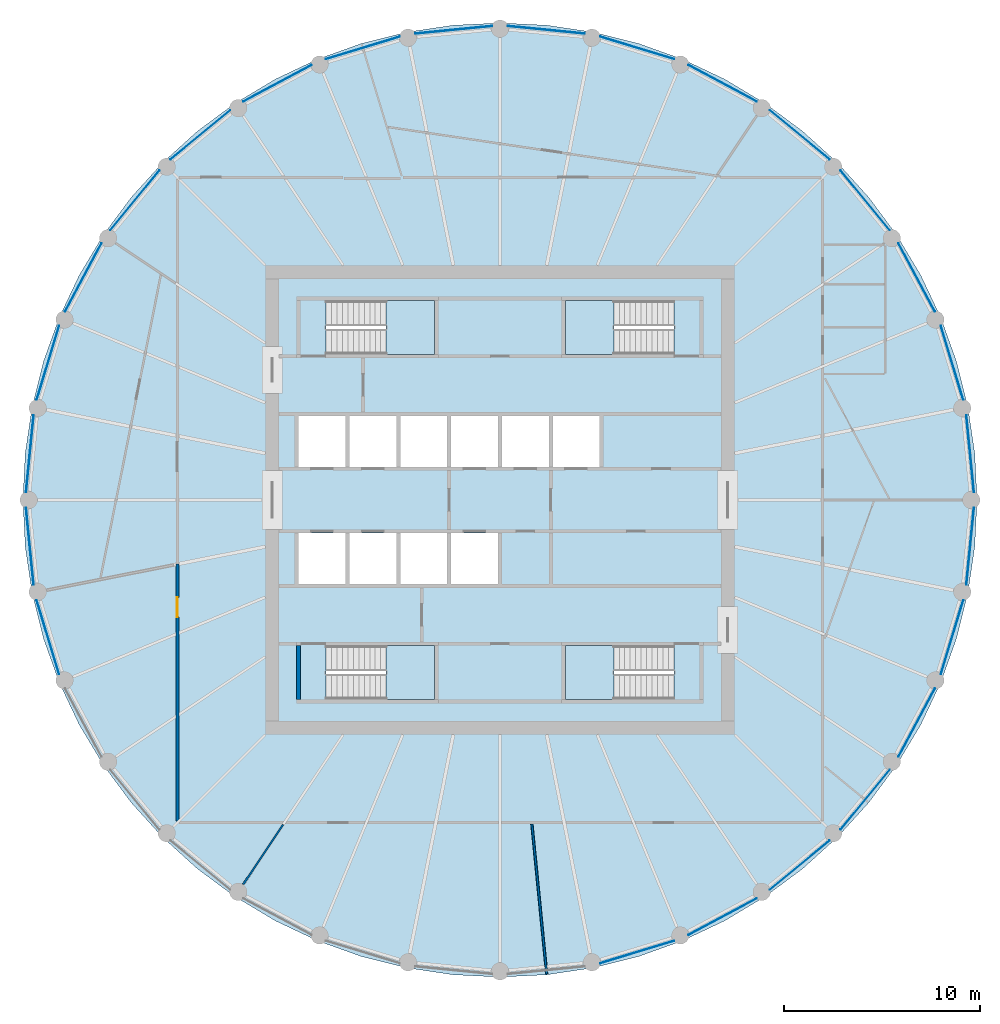
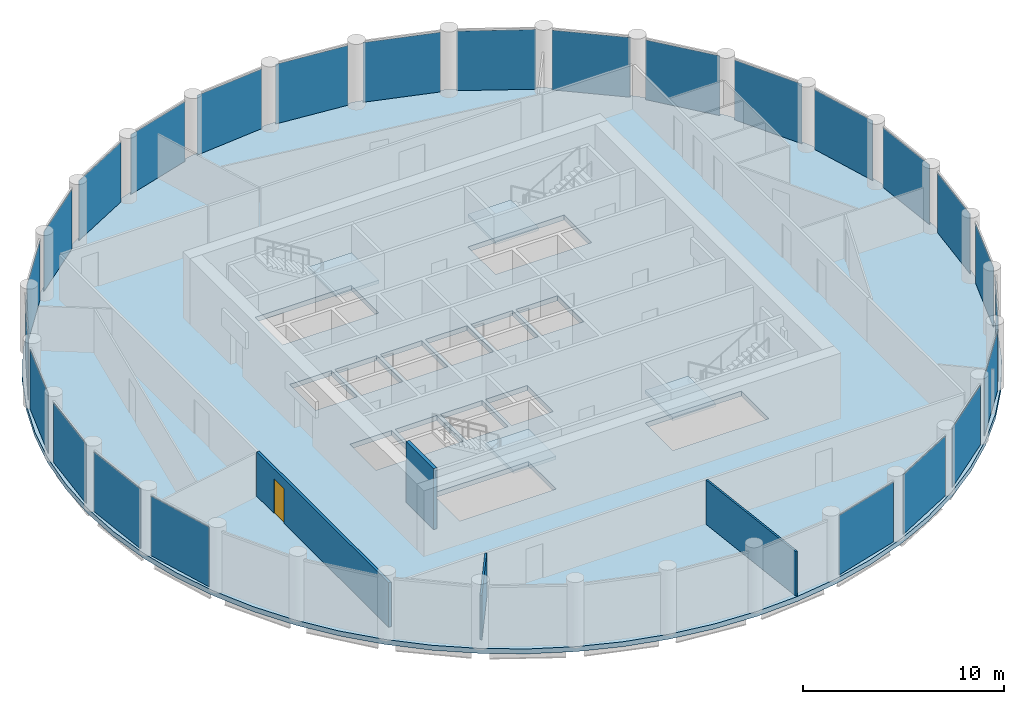
# One storey, part 3 of 7: 25 plates, 5 slabs, 4 walls, 1 door, 1 opening, 29 elements without a shape of their own.
"""IFC4 building model written with IfcOpenShell, lengths in metres."""

from ifc_helpers import new_model, si_unit, direction, frame, frame_2d, origin, origin_2d, place, context, subcontext, project, spatial, polyline, rectangle, outline, extrude, material, layer, layer_set, type_object, element, fill, aggregate, save


model = new_model("IFC4")

# Units and contexts
model_context = context("Model", 3, precision=1e-05, world=origin(), true_north=direction((0.0, 1.0)))
body_context = subcontext(model_context, "Body", "Model", "MODEL_VIEW")
ifc_project = project(units=[si_unit("LENGTHUNIT", "METRE"), si_unit("AREAUNIT", "SQUARE_METRE"), si_unit("VOLUMEUNIT", "CUBIC_METRE"), si_unit("PLANEANGLEUNIT", "RADIAN"), si_unit("MASSUNIT", "GRAM", prefix="KILO")], contexts=[model_context])

# Site, building, storey
site_placement = place(None, origin())
site = spatial("IfcSite", under=ifc_project, at=site_placement, CompositionType="ELEMENT")
building_placement = place(site_placement, origin())
building = spatial("IfcBuilding", under=site, at=building_placement, Name="Corvane Civic Tower", CompositionType="ELEMENT")
storey_placement = place(building_placement, frame((0.0, 0.0, 287.0)))
storey = spatial("IfcBuildingStorey", under=building, at=storey_placement, Name="L68", CompositionType="ELEMENT", Elevation=287.0)

# Slab
ifc_material_1 = material(Name="Concrete C40/50", Category="concrete")
ifc_layer_1 = layer(ifc_material_1, 0.300048828125)
ifc_layer_set_1 = layer_set([ifc_layer_1], Name="Concrete C40/50")
slab_type_1 = type_object("IfcSlabType", Name="FLOOR SLAB 300", PredefinedType="FLOOR", material=ifc_layer_set_1)
slab_1_placement = place(storey_placement, frame((0.0, 0.0, -0.300048828125)))
element("IfcSlab", 1, at=slab_1_placement, inside=storey, type_object=slab_type_1, Name="SLB-L68", PredefinedType="FLOOR", context=body_context, shape_type="SweptSolid", body=[
    extrude(outline(polyline([(0.0, 24.39990234375), (-2.3916015625, 24.282470703125), (-4.76025390625, 23.93115234375), (-7.0830078125, 23.349365234375), (-9.33740234375, 22.542724609375), (-11.502197265625, 21.518798828125), (-13.555908203125, 20.287841796875), (-15.479248046875, 18.861572265625), (-17.25341796875, 17.25341796875), (-18.861572265625, 15.479248046875), (-20.287841796875, 13.555908203125), (-21.518798828125, 11.502197265625), (-22.542724609375, 9.33740234375), (-23.349365234375, 7.0830078125), (-23.93115234375, 4.76025390625), (-24.282470703125, 2.3916015625), (-24.39990234375, 0.0), (-24.282470703125, -2.3916015625), (-23.93115234375, -4.76025390625), (-23.349365234375, -7.0830078125), (-22.542724609375, -9.33740234375), (-21.518798828125, -11.502197265625), (-20.287841796875, -13.555908203125), (-18.861572265625, -15.479248046875), (-17.25341796875, -17.25341796875), (-15.479248046875, -18.861572265625), (-13.555908203125, -20.287841796875), (-11.502197265625, -21.518798828125), (-9.33740234375, -22.542724609375), (-7.0830078125, -23.349365234375), (-4.76025390625, -23.93115234375), (-2.3916015625, -24.282470703125), (0.0, -24.39990234375), (2.3916015625, -24.282470703125), (4.76025390625, -23.93115234375), (7.0830078125, -23.349365234375), (9.33740234375, -22.542724609375), (11.502197265625, -21.518798828125), (13.555908203125, -20.287841796875), (15.479248046875, -18.861572265625), (17.25341796875, -17.25341796875), (18.861572265625, -15.479248046875), (20.287841796875, -13.555908203125), (21.518798828125, -11.502197265625), (22.542724609375, -9.33740234375), (23.349365234375, -7.0830078125), (23.93115234375, -4.76025390625), (24.282470703125, -2.3916015625), (24.39990234375, 0.0), (24.282470703125, 2.3916015625), (23.93115234375, 4.76025390625), (23.349365234375, 7.0830078125), (22.542724609375, 9.33740234375), (21.518798828125, 11.502197265625), (20.287841796875, 13.555908203125), (18.861572265625, 15.479248046875), (17.25341796875, 17.25341796875), (15.479248046875, 18.861572265625), (13.555908203125, 20.287841796875), (11.502197265625, 21.518798828125), (9.33740234375, 22.542724609375), (7.0830078125, 23.349365234375), (4.76025390625, 23.93115234375), (2.3916015625, 24.282470703125), (0.0, 24.39990234375)]), holes=[polyline([(-10.300048828125, 4.300048828125), (-7.89990234375, 4.300048828125), (-7.89990234375, 1.699951171875), (-10.300048828125, 1.699951171875), (-10.300048828125, 4.300048828125)]), polyline([(-7.699951171875, 4.300048828125), (-5.300048828125, 4.300048828125), (-5.300048828125, 1.699951171875), (-7.699951171875, 1.699951171875), (-7.699951171875, 4.300048828125)]), polyline([(-5.10009765625, 4.300048828125), (-2.699951171875, 4.300048828125), (-2.699951171875, 1.699951171875), (-5.10009765625, 1.699951171875), (-5.10009765625, 4.300048828125)]), polyline([(-0.10009765625, 1.699951171875), (-2.5, 1.699951171875), (-2.5, 4.300048828125), (-0.10009765625, 4.300048828125), (-0.10009765625, 1.699951171875)]), polyline([(0.10009765625, 4.300048828125), (2.5, 4.300048828125), (2.5, 1.699951171875), (0.10009765625, 1.699951171875), (0.10009765625, 4.300048828125)]), polyline([(2.699951171875, 4.300048828125), (5.10009765625, 4.300048828125), (5.10009765625, 1.699951171875), (2.699951171875, 1.699951171875), (2.699951171875, 4.300048828125)]), polyline([(-10.300048828125, -4.300048828125), (-10.300048828125, -1.699951171875), (-7.89990234375, -1.699951171875), (-7.89990234375, -4.300048828125), (-10.300048828125, -4.300048828125)]), polyline([(-7.699951171875, -4.300048828125), (-7.699951171875, -1.699951171875), (-5.300048828125, -1.699951171875), (-5.300048828125, -4.300048828125), (-7.699951171875, -4.300048828125)]), polyline([(-5.10009765625, -4.300048828125), (-5.10009765625, -1.699951171875), (-2.699951171875, -1.699951171875), (-2.699951171875, -4.300048828125), (-5.10009765625, -4.300048828125)]), polyline([(-0.10009765625, -1.699951171875), (-0.10009765625, -4.300048828125), (-2.5, -4.300048828125), (-2.5, -1.699951171875), (-0.10009765625, -1.699951171875)]), polyline([(8.889892578125, 10.199951171875), (8.889892578125, 7.449951171875), (3.35009765625, 7.449951171875), (3.35009765625, 10.199951171875), (8.889892578125, 10.199951171875)]), polyline([(-8.889892578125, 7.449951171875), (-8.889892578125, 10.199951171875), (-3.35009765625, 10.199951171875), (-3.35009765625, 7.449951171875), (-8.889892578125, 7.449951171875)]), polyline([(8.889892578125, -7.449951171875), (8.889892578125, -10.199951171875), (3.35009765625, -10.199951171875), (3.35009765625, -7.449951171875), (8.889892578125, -7.449951171875)]), polyline([(-8.889892578125, -10.199951171875), (-8.889892578125, -7.449951171875), (-3.35009765625, -7.449951171875), (-3.35009765625, -10.199951171875), (-8.889892578125, -10.199951171875)])]), origin(), (0.0, 0.0, 1.0), 0.300048828125),
])

# Stair, slab
ifc_material_2 = material(Name="Concrete C40/50", Category="concrete")
stair_type = type_object("IfcStairType", Name="ST-STAIR-HALFTURN", PredefinedType="HALF_TURN_STAIR", material=ifc_material_2)
stair_1_placement = place(storey_placement, origin())
stair_1 = element("IfcStair", 2, at=stair_1_placement, inside=storey, type_object=stair_type, Name="L68 Exit stair ST1", PredefinedType="HALF_TURN_STAIR")
ifc_material_3 = material(Name="Concrete C40/50", Category="concrete")
ifc_layer_2 = layer(ifc_material_3, 0.199951171875)
ifc_layer_set_2 = layer_set([ifc_layer_2], Name="Concrete C40/50")
slab_type_2 = type_object("IfcSlabType", Name="ST-LANDING-RC", PredefinedType="LANDING", material=ifc_layer_set_2)
slab_2_placement = place(storey_placement, frame((0.0, 0.0, 1.800048828125)))
slab_2 = element("IfcSlab", 3, at=slab_2_placement, type_object=slab_type_2, Name="ST1 landing 1", PredefinedType="LANDING", context=body_context, shape_type="SweptSolid", body=[
    extrude(outline(polyline([(5.820068359375, 10.199951171875), (3.35009765625, 10.199951171875), (3.35009765625, 7.449951171875), (5.820068359375, 7.449951171875), (5.820068359375, 10.199951171875)])), origin(), (0.0, 0.0, 1.0), 0.199951171875),
])
aggregate(stair_1, [slab_2])

stair_2_placement = place(storey_placement, origin())
stair_2 = element("IfcStair", 4, at=stair_2_placement, inside=storey, type_object=stair_type, Name="L68 Exit stair ST2", PredefinedType="HALF_TURN_STAIR")
slab_3_placement = place(storey_placement, frame((0.0, 0.0, 1.800048828125)))
slab_3 = element("IfcSlab", 5, at=slab_3_placement, type_object=slab_type_2, Name="ST2 landing 1", PredefinedType="LANDING", context=body_context, shape_type="SweptSolid", body=[
    extrude(outline(polyline([(5.820068359375, -7.449951171875), (3.35009765625, -7.449951171875), (3.35009765625, -10.199951171875), (5.820068359375, -10.199951171875), (5.820068359375, -7.449951171875)])), origin(), (0.0, 0.0, 1.0), 0.199951171875),
])
aggregate(stair_2, [slab_3])

stair_3_placement = place(storey_placement, origin())
stair_3 = element("IfcStair", 6, at=stair_3_placement, inside=storey, type_object=stair_type, Name="L68 Exit stair ST3", PredefinedType="HALF_TURN_STAIR")
slab_4_placement = place(storey_placement, frame((0.0, 0.0, 1.800048828125)))
slab_4 = element("IfcSlab", 7, at=slab_4_placement, type_object=slab_type_2, Name="ST3 landing 1", PredefinedType="LANDING", context=body_context, shape_type="SweptSolid", body=[
    extrude(outline(polyline([(-5.820068359375, -10.199951171875), (-3.35009765625, -10.199951171875), (-3.35009765625, -7.449951171875), (-5.820068359375, -7.449951171875), (-5.820068359375, -10.199951171875)])), origin(), (0.0, 0.0, 1.0), 0.199951171875),
])
aggregate(stair_3, [slab_4])

stair_4_placement = place(storey_placement, origin())
stair_4 = element("IfcStair", 8, at=stair_4_placement, inside=storey, type_object=stair_type, Name="L68 Exit stair ST4", PredefinedType="HALF_TURN_STAIR")
slab_5_placement = place(storey_placement, frame((0.0, 0.0, 1.800048828125)))
slab_5 = element("IfcSlab", 9, at=slab_5_placement, type_object=slab_type_2, Name="ST4 landing 1", PredefinedType="LANDING", context=body_context, shape_type="SweptSolid", body=[
    extrude(outline(polyline([(-5.820068359375, 7.449951171875), (-3.35009765625, 7.449951171875), (-3.35009765625, 10.199951171875), (-5.820068359375, 10.199951171875), (-5.820068359375, 7.449951171875)])), origin(), (0.0, 0.0, 1.0), 0.199951171875),
])
aggregate(stair_4, [slab_5])

# Curtain wall, plate
ifc_material_4 = material(Name="Anodised aluminium bronze", Category="aluminium")
curtain_wall_type = type_object("IfcCurtainWallType", Name="TOWER CW-T3 STICK CURTAIN WALL", PredefinedType="NOTDEFINED", material=ifc_material_4)
curtain_wall_1_placement = place(storey_placement, origin())
curtain_wall_1 = element("IfcCurtainWall", 10, at=curtain_wall_1_placement, inside=storey, type_object=curtain_wall_type, Name="Curtain wall CW-T3 L68 bay 01", PredefinedType="NOTDEFINED")
ifc_material_5 = material(Name="Tinted glass", Category="glass")
ifc_layer_3 = layer(ifc_material_5, 0.028076171875)
ifc_layer_set_3 = layer_set([ifc_layer_3], Name="Tinted glass")
plate_type = type_object("IfcPlateType", Name="TOWER CW-T3 PANEL IGU28", PredefinedType="CURTAIN_PANEL", material=ifc_layer_set_3)
plate_1_placement = place(storey_placement, frame((2.368408203125, 24.046875, 0.0), z_axis=(0.0, 0.0, 1.0), x_axis=(0.99518437747, -0.098020685775, 0.0)))
plate_1 = element("IfcPlate", 11, at=plate_1_placement, type_object=plate_type, Name="Glass panel CW-T3 L68 01.1", PredefinedType="CURTAIN_PANEL", context=body_context, shape_type="SweptSolid", body=[
    extrude(rectangle(XDim=3.958740234375, YDim=0.028076171875, at=origin_2d()), origin(), (0.0, 0.0, 1.0), 3.6298828125),
])
aggregate(curtain_wall_1, [plate_1])

curtain_wall_2_placement = place(storey_placement, origin())
curtain_wall_2 = element("IfcCurtainWall", 12, at=curtain_wall_2_placement, inside=storey, type_object=curtain_wall_type, Name="Curtain wall CW-T3 L68 bay 02", PredefinedType="NOTDEFINED")
plate_2_placement = place(storey_placement, frame((7.01416015625, 23.12255859375, 0.0), z_axis=(0.0, 0.0, 1.0), x_axis=(0.956943694519, -0.290273604586, 0.0)))
plate_2 = element("IfcPlate", 13, at=plate_2_placement, type_object=plate_type, Name="Glass panel CW-T3 L68 02.1", PredefinedType="CURTAIN_PANEL", context=body_context, shape_type="SweptSolid", body=[
    extrude(rectangle(XDim=3.958984375, YDim=0.028076171875, at=origin_2d()), origin(), (0.0, 0.0, 1.0), 3.6298828125),
])
aggregate(curtain_wall_2, [plate_2])

curtain_wall_3_placement = place(storey_placement, origin())
curtain_wall_3 = element("IfcCurtainWall", 14, at=curtain_wall_3_placement, inside=storey, type_object=curtain_wall_type, Name="Curtain wall CW-T3 L68 bay 03", PredefinedType="NOTDEFINED")
plate_3_placement = place(storey_placement, frame((11.390380859375, 21.31005859375, 0.0), z_axis=(0.0, 0.0, 1.0), x_axis=(0.881908138655, -0.471421292448, 0.0)))
plate_3 = element("IfcPlate", 15, at=plate_3_placement, type_object=plate_type, Name="Glass panel CW-T3 L68 03.1", PredefinedType="CURTAIN_PANEL", context=body_context, shape_type="SweptSolid", body=[
    extrude(rectangle(XDim=3.958740234375, YDim=0.028076171875, at=origin_2d()), origin(), (0.0, 0.0, 1.0), 3.6298828125),
])
aggregate(curtain_wall_3, [plate_3])

curtain_wall_4_placement = place(storey_placement, origin())
curtain_wall_4 = element("IfcCurtainWall", 16, at=curtain_wall_4_placement, inside=storey, type_object=curtain_wall_type, Name="Curtain wall CW-T3 L68 bay 04", PredefinedType="NOTDEFINED")
plate_4_placement = place(storey_placement, frame((15.328857421875, 18.67822265625, 0.0), z_axis=(0.0, 0.0, 1.0), x_axis=(0.773001130565, -0.634404643855, 0.0)))
plate_4 = element("IfcPlate", 17, at=plate_4_placement, type_object=plate_type, Name="Glass panel CW-T3 L68 04.1", PredefinedType="CURTAIN_PANEL", context=body_context, shape_type="SweptSolid", body=[
    extrude(rectangle(XDim=3.958740234375, YDim=0.028076171875, at=origin_2d()), origin(), (0.0, 0.0, 1.0), 3.6298828125),
])
aggregate(curtain_wall_4, [plate_4])

curtain_wall_5_placement = place(storey_placement, origin())
curtain_wall_5 = element("IfcCurtainWall", 18, at=curtain_wall_5_placement, inside=storey, type_object=curtain_wall_type, Name="Curtain wall CW-T3 L68 bay 05", PredefinedType="NOTDEFINED")
plate_5_placement = place(storey_placement, frame((18.67822265625, 15.328857421875, 0.0), z_axis=(0.0, 0.0, 1.0), x_axis=(0.634404643855, -0.773001130565, 0.0)))
plate_5 = element("IfcPlate", 19, at=plate_5_placement, type_object=plate_type, Name="Glass panel CW-T3 L68 05.1", PredefinedType="CURTAIN_PANEL", context=body_context, shape_type="SweptSolid", body=[
    extrude(rectangle(XDim=3.958740234375, YDim=0.028076171875, at=origin_2d()), origin(), (0.0, 0.0, 1.0), 3.6298828125),
])
aggregate(curtain_wall_5, [plate_5])

curtain_wall_6_placement = place(storey_placement, origin())
curtain_wall_6 = element("IfcCurtainWall", 20, at=curtain_wall_6_placement, inside=storey, type_object=curtain_wall_type, Name="Curtain wall CW-T3 L68 bay 06", PredefinedType="NOTDEFINED")
plate_6_placement = place(storey_placement, frame((21.31005859375, 11.390380859375, 0.0), z_axis=(0.0, 0.0, 1.0), x_axis=(0.471421292448, -0.881908138655, 0.0)))
plate_6 = element("IfcPlate", 21, at=plate_6_placement, type_object=plate_type, Name="Glass panel CW-T3 L68 06.1", PredefinedType="CURTAIN_PANEL", context=body_context, shape_type="SweptSolid", body=[
    extrude(rectangle(XDim=3.958740234375, YDim=0.028076171875, at=origin_2d()), origin(), (0.0, 0.0, 1.0), 3.6298828125),
])
aggregate(curtain_wall_6, [plate_6])

curtain_wall_7_placement = place(storey_placement, origin())
curtain_wall_7 = element("IfcCurtainWall", 22, at=curtain_wall_7_placement, inside=storey, type_object=curtain_wall_type, Name="Curtain wall CW-T3 L68 bay 07", PredefinedType="NOTDEFINED")
plate_7_placement = place(storey_placement, frame((23.12255859375, 7.01416015625, 0.0), z_axis=(0.0, 0.0, 1.0), x_axis=(0.290273604586, -0.956943694519, 0.0)))
plate_7 = element("IfcPlate", 23, at=plate_7_placement, type_object=plate_type, Name="Glass panel CW-T3 L68 07.1", PredefinedType="CURTAIN_PANEL", context=body_context, shape_type="SweptSolid", body=[
    extrude(rectangle(XDim=3.958984375, YDim=0.028076171875, at=origin_2d()), origin(), (0.0, 0.0, 1.0), 3.6298828125),
])
aggregate(curtain_wall_7, [plate_7])

curtain_wall_8_placement = place(storey_placement, origin())
curtain_wall_8 = element("IfcCurtainWall", 24, at=curtain_wall_8_placement, inside=storey, type_object=curtain_wall_type, Name="Curtain wall CW-T3 L68 bay 08", PredefinedType="NOTDEFINED")
plate_8_placement = place(storey_placement, frame((24.046875, 2.368408203125, 0.0), z_axis=(0.0, 0.0, 1.0), x_axis=(0.098020685775, -0.99518437747, 0.0)))
plate_8 = element("IfcPlate", 25, at=plate_8_placement, type_object=plate_type, Name="Glass panel CW-T3 L68 08.1", PredefinedType="CURTAIN_PANEL", context=body_context, shape_type="SweptSolid", body=[
    extrude(rectangle(XDim=3.958740234375, YDim=0.028076171875, at=origin_2d()), origin(), (0.0, 0.0, 1.0), 3.6298828125),
])
aggregate(curtain_wall_8, [plate_8])

curtain_wall_9_placement = place(storey_placement, origin())
curtain_wall_9 = element("IfcCurtainWall", 26, at=curtain_wall_9_placement, inside=storey, type_object=curtain_wall_type, Name="Curtain wall CW-T3 L68 bay 09", PredefinedType="NOTDEFINED")
plate_9_placement = place(storey_placement, frame((24.046875, -2.368408203125, 0.0), z_axis=(0.0, 0.0, 1.0), x_axis=(-0.098020685775, -0.99518437747, 0.0)))
plate_9 = element("IfcPlate", 27, at=plate_9_placement, type_object=plate_type, Name="Glass panel CW-T3 L68 09.1", PredefinedType="CURTAIN_PANEL", context=body_context, shape_type="SweptSolid", body=[
    extrude(rectangle(XDim=3.958740234375, YDim=0.028076171875, at=origin_2d()), origin(), (0.0, 0.0, 1.0), 3.6298828125),
])
aggregate(curtain_wall_9, [plate_9])

curtain_wall_10_placement = place(storey_placement, origin())
curtain_wall_10 = element("IfcCurtainWall", 28, at=curtain_wall_10_placement, inside=storey, type_object=curtain_wall_type, Name="Curtain wall CW-T3 L68 bay 10", PredefinedType="NOTDEFINED")
plate_10_placement = place(storey_placement, frame((23.12255859375, -7.01416015625, 0.0), z_axis=(0.0, 0.0, 1.0), x_axis=(-0.290273604586, -0.956943694519, 0.0)))
plate_10 = element("IfcPlate", 29, at=plate_10_placement, type_object=plate_type, Name="Glass panel CW-T3 L68 10.1", PredefinedType="CURTAIN_PANEL", context=body_context, shape_type="SweptSolid", body=[
    extrude(rectangle(XDim=3.958984375, YDim=0.028076171875, at=origin_2d()), origin(), (0.0, 0.0, 1.0), 3.6298828125),
])
aggregate(curtain_wall_10, [plate_10])

curtain_wall_11_placement = place(storey_placement, origin())
curtain_wall_11 = element("IfcCurtainWall", 30, at=curtain_wall_11_placement, inside=storey, type_object=curtain_wall_type, Name="Curtain wall CW-T3 L68 bay 11", PredefinedType="NOTDEFINED")
plate_11_placement = place(storey_placement, frame((21.31005859375, -11.390380859375, 0.0), z_axis=(0.0, 0.0, 1.0), x_axis=(-0.471421292448, -0.881908138655, 0.0)))
plate_11 = element("IfcPlate", 31, at=plate_11_placement, type_object=plate_type, Name="Glass panel CW-T3 L68 11.1", PredefinedType="CURTAIN_PANEL", context=body_context, shape_type="SweptSolid", body=[
    extrude(rectangle(XDim=3.958740234375, YDim=0.028076171875, at=origin_2d()), origin(), (0.0, 0.0, 1.0), 3.6298828125),
])
aggregate(curtain_wall_11, [plate_11])

curtain_wall_12_placement = place(storey_placement, origin())
curtain_wall_12 = element("IfcCurtainWall", 32, at=curtain_wall_12_placement, inside=storey, type_object=curtain_wall_type, Name="Curtain wall CW-T3 L68 bay 12", PredefinedType="NOTDEFINED")
plate_12_placement = place(storey_placement, frame((18.67822265625, -15.328857421875, 0.0), z_axis=(0.0, 0.0, 1.0), x_axis=(-0.634404643855, -0.773001130565, 0.0)))
plate_12 = element("IfcPlate", 33, at=plate_12_placement, type_object=plate_type, Name="Glass panel CW-T3 L68 12.1", PredefinedType="CURTAIN_PANEL", context=body_context, shape_type="SweptSolid", body=[
    extrude(rectangle(XDim=3.958740234375, YDim=0.028076171875, at=origin_2d()), origin(), (0.0, 0.0, 1.0), 3.6298828125),
])
aggregate(curtain_wall_12, [plate_12])

curtain_wall_13_placement = place(storey_placement, origin())
curtain_wall_13 = element("IfcCurtainWall", 34, at=curtain_wall_13_placement, inside=storey, type_object=curtain_wall_type, Name="Curtain wall CW-T3 L68 bay 13", PredefinedType="NOTDEFINED")
plate_13_placement = place(storey_placement, frame((15.328857421875, -18.67822265625, 0.0), z_axis=(0.0, 0.0, 1.0), x_axis=(-0.773001130565, -0.634404643855, 0.0)))
plate_13 = element("IfcPlate", 35, at=plate_13_placement, type_object=plate_type, Name="Glass panel CW-T3 L68 13.1", PredefinedType="CURTAIN_PANEL", context=body_context, shape_type="SweptSolid", body=[
    extrude(rectangle(XDim=3.958740234375, YDim=0.028076171875, at=origin_2d()), origin(), (0.0, 0.0, 1.0), 3.6298828125),
])
aggregate(curtain_wall_13, [plate_13])

curtain_wall_14_placement = place(storey_placement, origin())
curtain_wall_14 = element("IfcCurtainWall", 36, at=curtain_wall_14_placement, inside=storey, type_object=curtain_wall_type, Name="Curtain wall CW-T3 L68 bay 14", PredefinedType="NOTDEFINED")
plate_14_placement = place(storey_placement, frame((11.390380859375, -21.31005859375, 0.0), z_axis=(0.0, 0.0, 1.0), x_axis=(-0.881908138655, -0.471421292448, 0.0)))
plate_14 = element("IfcPlate", 37, at=plate_14_placement, type_object=plate_type, Name="Glass panel CW-T3 L68 14.1", PredefinedType="CURTAIN_PANEL", context=body_context, shape_type="SweptSolid", body=[
    extrude(rectangle(XDim=3.958740234375, YDim=0.028076171875, at=origin_2d()), origin(), (0.0, 0.0, 1.0), 3.6298828125),
])
aggregate(curtain_wall_14, [plate_14])

curtain_wall_15_placement = place(storey_placement, origin())
curtain_wall_15 = element("IfcCurtainWall", 38, at=curtain_wall_15_placement, inside=storey, type_object=curtain_wall_type, Name="Curtain wall CW-T3 L68 bay 15", PredefinedType="NOTDEFINED")
plate_15_placement = place(storey_placement, frame((7.01416015625, -23.12255859375, 0.0), z_axis=(0.0, 0.0, 1.0), x_axis=(-0.956943694519, -0.290273604586, 0.0)))
plate_15 = element("IfcPlate", 39, at=plate_15_placement, type_object=plate_type, Name="Glass panel CW-T3 L68 15.1", PredefinedType="CURTAIN_PANEL", context=body_context, shape_type="SweptSolid", body=[
    extrude(rectangle(XDim=3.958984375, YDim=0.028076171875, at=origin_2d()), origin(), (0.0, 0.0, 1.0), 3.6298828125),
])
aggregate(curtain_wall_15, [plate_15])

curtain_wall_16_placement = place(storey_placement, origin())
curtain_wall_16 = element("IfcCurtainWall", 40, at=curtain_wall_16_placement, inside=storey, type_object=curtain_wall_type, Name="Curtain wall CW-T3 L68 bay 23", PredefinedType="NOTDEFINED")
plate_16_placement = place(storey_placement, frame((-23.12255859375, -7.01416015625, 0.0), z_axis=(0.0, 0.0, 1.0), x_axis=(-0.290273604586, 0.956943694519, 0.0)))
plate_16 = element("IfcPlate", 41, at=plate_16_placement, type_object=plate_type, Name="Glass panel CW-T3 L68 23.1", PredefinedType="CURTAIN_PANEL", context=body_context, shape_type="SweptSolid", body=[
    extrude(rectangle(XDim=3.958984375, YDim=0.028076171875, at=origin_2d()), origin(), (0.0, 0.0, 1.0), 3.6298828125),
])
aggregate(curtain_wall_16, [plate_16])

curtain_wall_17_placement = place(storey_placement, origin())
curtain_wall_17 = element("IfcCurtainWall", 42, at=curtain_wall_17_placement, inside=storey, type_object=curtain_wall_type, Name="Curtain wall CW-T3 L68 bay 24", PredefinedType="NOTDEFINED")
plate_17_placement = place(storey_placement, frame((-24.046875, -2.368408203125, 0.0), z_axis=(0.0, 0.0, 1.0), x_axis=(-0.098020685775, 0.99518437747, 0.0)))
plate_17 = element("IfcPlate", 43, at=plate_17_placement, type_object=plate_type, Name="Glass panel CW-T3 L68 24.1", PredefinedType="CURTAIN_PANEL", context=body_context, shape_type="SweptSolid", body=[
    extrude(rectangle(XDim=3.958740234375, YDim=0.028076171875, at=origin_2d()), origin(), (0.0, 0.0, 1.0), 3.6298828125),
])
aggregate(curtain_wall_17, [plate_17])

curtain_wall_18_placement = place(storey_placement, origin())
curtain_wall_18 = element("IfcCurtainWall", 44, at=curtain_wall_18_placement, inside=storey, type_object=curtain_wall_type, Name="Curtain wall CW-T3 L68 bay 25", PredefinedType="NOTDEFINED")
plate_18_placement = place(storey_placement, frame((-24.046875, 2.368408203125, 0.0), z_axis=(0.0, 0.0, 1.0), x_axis=(0.098020685775, 0.99518437747, 0.0)))
plate_18 = element("IfcPlate", 45, at=plate_18_placement, type_object=plate_type, Name="Glass panel CW-T3 L68 25.1", PredefinedType="CURTAIN_PANEL", context=body_context, shape_type="SweptSolid", body=[
    extrude(rectangle(XDim=3.958740234375, YDim=0.028076171875, at=origin_2d()), origin(), (0.0, 0.0, 1.0), 3.6298828125),
])
aggregate(curtain_wall_18, [plate_18])

curtain_wall_19_placement = place(storey_placement, origin())
curtain_wall_19 = element("IfcCurtainWall", 46, at=curtain_wall_19_placement, inside=storey, type_object=curtain_wall_type, Name="Curtain wall CW-T3 L68 bay 26", PredefinedType="NOTDEFINED")
plate_19_placement = place(storey_placement, frame((-23.12255859375, 7.01416015625, 0.0), z_axis=(0.0, 0.0, 1.0), x_axis=(0.290273604586, 0.956943694519, 0.0)))
plate_19 = element("IfcPlate", 47, at=plate_19_placement, type_object=plate_type, Name="Glass panel CW-T3 L68 26.1", PredefinedType="CURTAIN_PANEL", context=body_context, shape_type="SweptSolid", body=[
    extrude(rectangle(XDim=3.958984375, YDim=0.028076171875, at=origin_2d()), origin(), (0.0, 0.0, 1.0), 3.6298828125),
])
aggregate(curtain_wall_19, [plate_19])

curtain_wall_20_placement = place(storey_placement, origin())
curtain_wall_20 = element("IfcCurtainWall", 48, at=curtain_wall_20_placement, inside=storey, type_object=curtain_wall_type, Name="Curtain wall CW-T3 L68 bay 27", PredefinedType="NOTDEFINED")
plate_20_placement = place(storey_placement, frame((-21.31005859375, 11.390380859375, 0.0), z_axis=(0.0, 0.0, 1.0), x_axis=(0.471421292448, 0.881908138655, 0.0)))
plate_20 = element("IfcPlate", 49, at=plate_20_placement, type_object=plate_type, Name="Glass panel CW-T3 L68 27.1", PredefinedType="CURTAIN_PANEL", context=body_context, shape_type="SweptSolid", body=[
    extrude(rectangle(XDim=3.958740234375, YDim=0.028076171875, at=origin_2d()), origin(), (0.0, 0.0, 1.0), 3.6298828125),
])
aggregate(curtain_wall_20, [plate_20])

curtain_wall_21_placement = place(storey_placement, origin())
curtain_wall_21 = element("IfcCurtainWall", 50, at=curtain_wall_21_placement, inside=storey, type_object=curtain_wall_type, Name="Curtain wall CW-T3 L68 bay 28", PredefinedType="NOTDEFINED")
plate_21_placement = place(storey_placement, frame((-18.67822265625, 15.328857421875, 0.0), z_axis=(0.0, 0.0, 1.0), x_axis=(0.634404643855, 0.773001130565, 0.0)))
plate_21 = element("IfcPlate", 51, at=plate_21_placement, type_object=plate_type, Name="Glass panel CW-T3 L68 28.1", PredefinedType="CURTAIN_PANEL", context=body_context, shape_type="SweptSolid", body=[
    extrude(rectangle(XDim=3.958740234375, YDim=0.028076171875, at=origin_2d()), origin(), (0.0, 0.0, 1.0), 3.6298828125),
])
aggregate(curtain_wall_21, [plate_21])

curtain_wall_22_placement = place(storey_placement, origin())
curtain_wall_22 = element("IfcCurtainWall", 52, at=curtain_wall_22_placement, inside=storey, type_object=curtain_wall_type, Name="Curtain wall CW-T3 L68 bay 29", PredefinedType="NOTDEFINED")
plate_22_placement = place(storey_placement, frame((-15.328857421875, 18.67822265625, 0.0), z_axis=(0.0, 0.0, 1.0), x_axis=(0.773001130565, 0.634404643855, 0.0)))
plate_22 = element("IfcPlate", 53, at=plate_22_placement, type_object=plate_type, Name="Glass panel CW-T3 L68 29.1", PredefinedType="CURTAIN_PANEL", context=body_context, shape_type="SweptSolid", body=[
    extrude(rectangle(XDim=3.958740234375, YDim=0.028076171875, at=origin_2d()), origin(), (0.0, 0.0, 1.0), 3.6298828125),
])
aggregate(curtain_wall_22, [plate_22])

curtain_wall_23_placement = place(storey_placement, origin())
curtain_wall_23 = element("IfcCurtainWall", 54, at=curtain_wall_23_placement, inside=storey, type_object=curtain_wall_type, Name="Curtain wall CW-T3 L68 bay 30", PredefinedType="NOTDEFINED")
plate_23_placement = place(storey_placement, frame((-11.390380859375, 21.31005859375, 0.0), z_axis=(0.0, 0.0, 1.0), x_axis=(0.881908138655, 0.471421292448, 0.0)))
plate_23 = element("IfcPlate", 55, at=plate_23_placement, type_object=plate_type, Name="Glass panel CW-T3 L68 30.1", PredefinedType="CURTAIN_PANEL", context=body_context, shape_type="SweptSolid", body=[
    extrude(rectangle(XDim=3.958740234375, YDim=0.028076171875, at=origin_2d()), origin(), (0.0, 0.0, 1.0), 3.6298828125),
])
aggregate(curtain_wall_23, [plate_23])

curtain_wall_24_placement = place(storey_placement, origin())
curtain_wall_24 = element("IfcCurtainWall", 56, at=curtain_wall_24_placement, inside=storey, type_object=curtain_wall_type, Name="Curtain wall CW-T3 L68 bay 31", PredefinedType="NOTDEFINED")
plate_24_placement = place(storey_placement, frame((-7.01416015625, 23.12255859375, 0.0), z_axis=(0.0, 0.0, 1.0), x_axis=(0.956943694519, 0.290273604586, 0.0)))
plate_24 = element("IfcPlate", 57, at=plate_24_placement, type_object=plate_type, Name="Glass panel CW-T3 L68 31.1", PredefinedType="CURTAIN_PANEL", context=body_context, shape_type="SweptSolid", body=[
    extrude(rectangle(XDim=3.958984375, YDim=0.028076171875, at=origin_2d()), origin(), (0.0, 0.0, 1.0), 3.6298828125),
])
aggregate(curtain_wall_24, [plate_24])

curtain_wall_25_placement = place(storey_placement, origin())
curtain_wall_25 = element("IfcCurtainWall", 58, at=curtain_wall_25_placement, inside=storey, type_object=curtain_wall_type, Name="Curtain wall CW-T3 L68 bay 32", PredefinedType="NOTDEFINED")
plate_25_placement = place(storey_placement, frame((-2.368408203125, 24.046875, 0.0), z_axis=(0.0, 0.0, 1.0), x_axis=(0.99518437747, 0.098020685775, 0.0)))
plate_25 = element("IfcPlate", 59, at=plate_25_placement, type_object=plate_type, Name="Glass panel CW-T3 L68 32.1", PredefinedType="CURTAIN_PANEL", context=body_context, shape_type="SweptSolid", body=[
    extrude(rectangle(XDim=3.958740234375, YDim=0.028076171875, at=origin_2d()), origin(), (0.0, 0.0, 1.0), 3.6298828125),
])
aggregate(curtain_wall_25, [plate_25])

# Walls
ifc_material_6 = material(Name="Plasterboard")
ifc_layer_4 = layer(ifc_material_6, 0.10009765625)
ifc_layer_set_4 = layer_set([ifc_layer_4], Name="Plasterboard")
wall_type_1 = type_object("IfcWallType", Name="Partition 100 plasterboard on studs", PredefinedType="PARTITIONING", material=ifc_layer_set_4)
wall_1_placement = place(storey_placement, frame((1.633056640625, -16.579833984375, 0.0), z_axis=(0.0, 0.0, 1.0), x_axis=(0.098004248276, -0.995185996344, 0.0)))
element("IfcWall", 60, at=wall_1_placement, inside=storey, type_object=wall_type_1, Name="Partition L68.001", PredefinedType="PARTITIONING", context=body_context, shape_type="SweptSolid", body=[
    extrude(rectangle(XDim=7.690185546875, YDim=0.10009765625, at=frame_2d((3.84521484375, 0.0))), origin(), (0.0, 0.0, 1.0), 2.699951171875),
])
wall_2_placement = place(storey_placement, frame((-13.133544921875, -19.656005859375, 0.0), z_axis=(0.0, 0.0, 1.0), x_axis=(0.555559107402, 0.831477046095, 0.0)))
element("IfcWall", 61, at=wall_2_placement, inside=storey, type_object=wall_type_1, Name="Partition L68.002", PredefinedType="PARTITIONING", context=body_context, shape_type="SweptSolid", body=[
    extrude(rectangle(XDim=3.672119140625, YDim=0.10009765625, at=frame_2d((1.8359375, 0.0))), origin(), (0.0, 0.0, 1.0), 2.699951171875),
])
ifc_material_7 = material(Name="Concrete C50/60", Category="concrete")
ifc_layer_5 = layer(ifc_material_7, 0.199951171875)
ifc_layer_set_5 = layer_set([ifc_layer_5], Name="Concrete C50/60")
wall_type_2 = type_object("IfcWallType", Name="ST-WALL-200", PredefinedType="SHEAR", material=ifc_layer_set_5)
wall_3_placement = place(storey_placement, origin())
element("IfcWall", 62, at=wall_3_placement, inside=storey, type_object=wall_type_2, Name="L68 stair enclosure wall", PredefinedType="SHEAR", context=body_context, shape_type="SweptSolid", body=[
    extrude(outline(polyline([(-10.199951171875, -7.449951171875), (-10.199951171875, -10.199951171875), (-10.39990234375, -10.199951171875), (-10.39990234375, -7.449951171875), (-10.199951171875, -7.449951171875)])), origin(), (0.0, 0.0, 1.0), 3.699951171875),
])

# Wall, opening, door
ifc_material_8 = material(Name="Plasterboard")
ifc_layer_6 = layer(ifc_material_8, 0.14990234375)
ifc_layer_set_6 = layer_set([ifc_layer_6], Name="Plasterboard")
wall_type_3 = type_object("IfcWallType", Name="Tenancy wall 150 EI 60", PredefinedType="PARTITIONING", material=ifc_layer_set_6)
wall_4_placement = place(storey_placement, frame((-16.5, -16.425048828125, 0.0), z_axis=(0.0, 0.0, 1.0), x_axis=(0.0, 1.0, 0.0)))
wall_4 = element("IfcWall", 63, at=wall_4_placement, inside=storey, type_object=wall_type_3, Name="Partition L68.004", PredefinedType="PARTITIONING", context=body_context, shape_type="SweptSolid", body=[
    extrude(rectangle(XDim=13.14306640625, YDim=0.14990234375, at=frame_2d((6.571533203125, 0.0))), origin(), (0.0, 0.0, 1.0), 2.699951171875),
])
opening_placement = place(wall_4_placement, frame((10.4384765625, 0.0, 0.0)))
opening = element("IfcOpeningElement", 64, at=opening_placement, cuts=wall_4, Name="Opening L68.010", PredefinedType="OPENING", context=body_context, shape_type="SweptSolid", body=[
    extrude(rectangle(XDim=1.0, YDim=2.10009765625, at=frame_2d((0.5, 1.050048828125))), frame((0.0, 0.0849609375, 0.0), z_axis=(0.0, -1.0, 0.0), x_axis=(1.0, 0.0, 0.0)), (0.0, 0.0, 1.0), 0.169921875),
])
ifc_material_9 = material(Name="Steel and timber", Category="steel")
door_type = type_object("IfcDoorType", Name="Fire door FD30S 1000", OperationType="NOTDEFINED", PredefinedType="DOOR", material=ifc_material_9)
door_placement = place(opening_placement, origin())
door = element("IfcDoor", 65, at=door_placement, inside=storey, type_object=door_type, Name="Door L68.010", OperationType="SINGLE_SWING_RIGHT", OverallHeight=2.10009765625, OverallWidth=1.0, PredefinedType="DOOR", context=body_context, shape_type="SweptSolid", body=[
    extrude(rectangle(XDim=1.0, YDim=2.10009765625, at=frame_2d((0.5, 1.050048828125))), frame((0.0, 0.02490234375, 0.0), z_axis=(0.0, -1.0, 0.0), x_axis=(1.0, 0.0, 0.0)), (0.0, 0.0, 1.0), 0.050048828125),
])
fill(opening, door)

save(model, "model.ifc")
